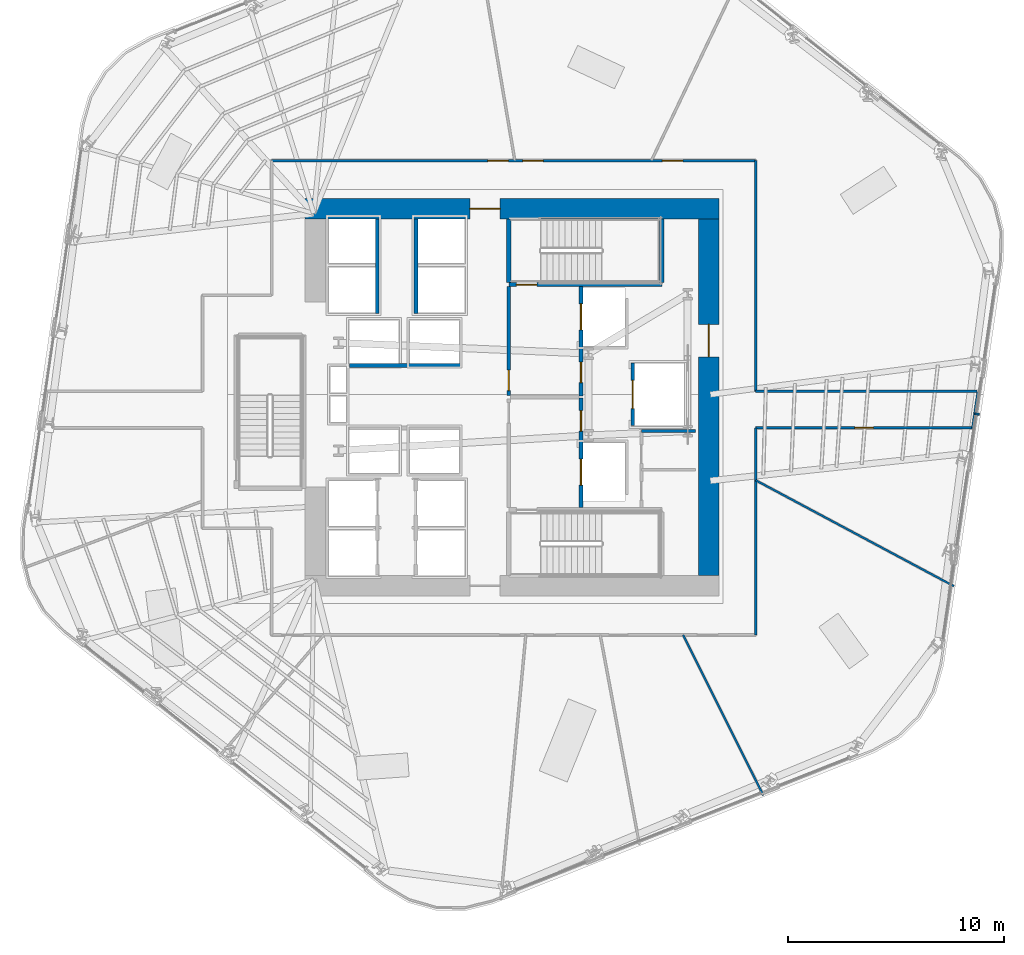
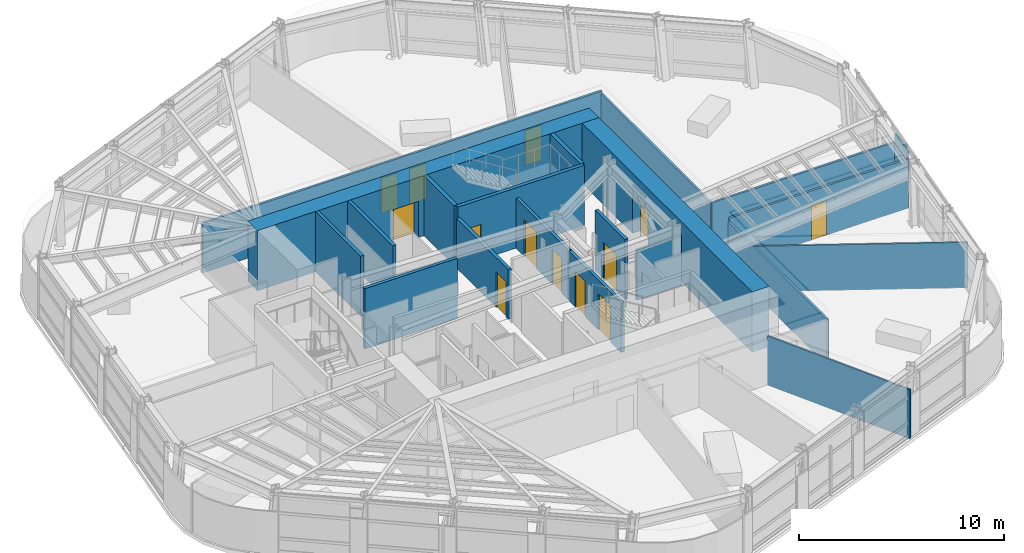
# One storey, part 9 of 17: 22 walls, 13 doors, 13 openings.
"""IFC4 building model written with IfcOpenShell, lengths in metres."""

from ifc_helpers import new_model, si_unit, direction, frame, frame_2d, origin, place, context, subcontext, project, spatial, rectangle, extrude, material, layer, layer_set, type_object, element, fill, save


model = new_model("IFC4")

# Units and contexts
model_context = context("Model", 3, precision=1e-05, world=origin(), true_north=direction((0.0, 1.0)))
body_context = subcontext(model_context, "Body", "Model", "MODEL_VIEW")
ifc_project = project(units=[si_unit("LENGTHUNIT", "METRE"), si_unit("AREAUNIT", "SQUARE_METRE"), si_unit("VOLUMEUNIT", "CUBIC_METRE"), si_unit("PLANEANGLEUNIT", "RADIAN"), si_unit("MASSUNIT", "GRAM", prefix="KILO")], contexts=[model_context])

# Site, building, storey
site_placement = place(None, origin())
site = spatial("IfcSite", under=ifc_project, at=site_placement, CompositionType="ELEMENT")
building_placement = place(site_placement, origin())
building = spatial("IfcBuilding", under=site, at=building_placement, Name="Valkerne Bourse Tower", CompositionType="ELEMENT")
storey_placement = place(building_placement, frame((0.0, 0.0, 116.199951171875)))
storey = spatial("IfcBuildingStorey", under=building, at=storey_placement, Name="L29", CompositionType="ELEMENT", Elevation=116.199951171875)

# Wall, opening, door
ifc_material_1 = material(Name="Concrete C70/85", Category="concrete")
ifc_layer_1 = layer(ifc_material_1, 0.949951171875)
ifc_layer_set_1 = layer_set([ifc_layer_1], Name="Concrete C70/85")
wall_type_1 = type_object("IfcWallType", Name="W-CORE-950", PredefinedType="SHEAR", material=ifc_layer_set_1)
wall_1_placement = place(storey_placement, frame((37.199951171875, 35.625, 0.0), z_axis=(0.0, 0.0, 1.0), x_axis=(1.0, 0.0, 0.0)))
wall_1 = element("IfcWall", 1, at=wall_1_placement, inside=storey, type_object=wall_type_1, Name="L29 Core Shear Wall NORTH", PredefinedType="SHEAR", context=body_context, shape_type="SweptSolid", body=[
    extrude(rectangle(XDim=19.199951171875, YDim=0.949951171875, at=frame_2d((9.60009765625, 0.0))), origin(), (0.0, 0.0, 1.0), 3.580078125),
])
opening_1_placement = place(wall_1_placement, frame((7.64990234375, 0.0, 0.0)))
opening_1 = element("IfcOpeningElement", 2, at=opening_1_placement, cuts=wall_1, Name="Opening D-PL-1400", PredefinedType="OPENING", context=body_context, shape_type="SweptSolid", body=[
    extrude(rectangle(XDim=1.39990234375, YDim=2.14990234375, at=frame_2d((0.699951171875, 1.074951171875))), frame((0.0, 0.48486328125, 0.0), z_axis=(0.0, -1.0, 0.0), x_axis=(1.0, 0.0, 0.0)), (0.0, 0.0, 1.0), 0.969970703125),
])
ifc_material_2 = material(Name="Galvanised Painted Steel", Category="steel")
door_type_1 = type_object("IfcDoorType", Name="DR-PLT-1400", OperationType="DOUBLE_DOOR_SINGLE_SWING", PredefinedType="DOOR", material=ifc_material_2)
door_1_placement = place(opening_1_placement, origin())
door_1 = element("IfcDoor", 3, at=door_1_placement, inside=storey, type_object=door_type_1, Name="L29 North Passenger Lift Hall Fire Door", OperationType="DOUBLE_DOOR_SINGLE_SWING", OverallHeight=2.14990234375, OverallWidth=1.39990234375, PredefinedType="DOOR", context=body_context, shape_type="SweptSolid", body=[
    extrude(rectangle(XDim=1.39990234375, YDim=2.14990234375, at=frame_2d((0.699951171875, 1.074951171875))), frame((0.0, 0.02490234375, 0.0), z_axis=(0.0, -1.0, 0.0), x_axis=(1.0, 0.0, 0.0)), (0.0, 0.0, 1.0), 0.050048828125),
])
fill(opening_1, door_1)

wall_2_placement = place(storey_placement, frame((55.925048828125, 18.60009765625, 0.0), z_axis=(0.0, 0.0, 1.0), x_axis=(0.0, 1.0, 0.0)))
wall_2 = element("IfcWall", 4, at=wall_2_placement, inside=storey, type_object=wall_type_1, Name="L29 Core Shear Wall EAST", PredefinedType="SHEAR", context=body_context, shape_type="SweptSolid", body=[
    extrude(rectangle(XDim=16.5498046875, YDim=0.949951171875, at=frame_2d((8.27490234375, 0.0))), origin(), (0.0, 0.0, 1.0), 3.580078125),
])
opening_2_placement = place(wall_2_placement, frame((10.14990234375, 0.0, 0.0)))
opening_2 = element("IfcOpeningElement", 5, at=opening_2_placement, cuts=wall_2, Name="Opening D-CR-1500", PredefinedType="OPENING", context=body_context, shape_type="SweptSolid", body=[
    extrude(rectangle(XDim=1.5, YDim=2.14990234375, at=frame_2d((0.75, 1.074951171875))), frame((0.0, 0.48486328125, 0.0), z_axis=(0.0, -1.0, 0.0), x_axis=(1.0, 0.0, 0.0)), (0.0, 0.0, 1.0), 0.969970703125),
])
door_type_2 = type_object("IfcDoorType", Name="DR-CORR-1500", OperationType="DOUBLE_DOOR_SINGLE_SWING", PredefinedType="DOOR", material=ifc_material_2)
door_2_placement = place(opening_2_placement, origin())
door_2 = element("IfcDoor", 6, at=door_2_placement, inside=storey, type_object=door_type_2, Name="L29 East Core Service Lobby Fire Door", OperationType="DOUBLE_DOOR_SINGLE_SWING", OverallHeight=2.14990234375, OverallWidth=1.5, PredefinedType="DOOR", context=body_context, shape_type="SweptSolid", body=[
    extrude(rectangle(XDim=1.5, YDim=2.14990234375, at=frame_2d((0.75, 1.074951171875))), frame((0.0, 0.02490234375, 0.0), z_axis=(0.0, -1.0, 0.0), x_axis=(1.0, 0.0, 0.0)), (0.0, 0.0, 1.0), 0.050048828125),
])
fill(opening_2, door_2)

# Walls
ifc_material_3 = material(Name="Gypsum Board Steel-Stud Partition", Category="steel")
ifc_layer_2 = layer(ifc_material_3, 0.117919921875)
ifc_layer_set_2 = layer_set([ifc_layer_2], Name="Gypsum Board Steel-Stud Partition")
wall_type_2 = type_object("IfcWallType", Name="W-CORR-140", PredefinedType="PARTITIONING", material=ifc_layer_set_2)
wall_3_placement = place(storey_placement, frame((58.10009765625, 27.14990234375, 0.0), z_axis=(0.0, 0.0, 1.0), x_axis=(1.0, 0.0, 0.0)))
element("IfcWall", 7, at=wall_3_placement, inside=storey, type_object=wall_type_2, Name="L29 Corridor Enclosure Wall", PredefinedType="PARTITIONING", context=body_context, shape_type="SweptSolid", body=[
    extrude(rectangle(XDim=10.279296875, YDim=0.117919921875, at=frame_2d((5.1396484375, 0.0))), origin(), (0.0, 0.0, 1.0), 2.800537109375),
])
wall_4_placement = place(storey_placement, frame((68.41796875, 27.10546875, 0.0), z_axis=(0.0, 0.0, 1.0), x_axis=(-0.146035774804, -0.989279309638, 0.0)))
element("IfcWall", 8, at=wall_4_placement, inside=storey, type_object=wall_type_2, Name="L29 Corridor Enclosure Wall", PredefinedType="PARTITIONING", context=body_context, shape_type="SweptSolid", body=[
    extrude(rectangle(XDim=1.67333984375, YDim=0.117919921875, at=frame_2d((0.836669921875, 0.0))), origin(), (0.0, 0.0, 1.0), 3.280029296875),
])

# Wall, opening, door
wall_5_placement = place(storey_placement, frame((68.173583984375, 25.449951171875, 0.0), z_axis=(0.0, 0.0, 1.0), x_axis=(-1.0, 0.0, 0.0)))
wall_5 = element("IfcWall", 9, at=wall_5_placement, inside=storey, type_object=wall_type_2, Name="L29 Corridor Enclosure Wall", PredefinedType="PARTITIONING", context=body_context, shape_type="SweptSolid", body=[
    extrude(rectangle(XDim=10.073486328125, YDim=0.117919921875, at=frame_2d((5.03662109375, 0.0))), origin(), (0.0, 0.0, 1.0), 2.92236328125),
])
opening_3_placement = place(wall_5_placement, frame((4.606689453125, 0.0, 0.0)))
opening_3 = element("IfcOpeningElement", 10, at=opening_3_placement, cuts=wall_5, Name="Opening D-WC-900", PredefinedType="OPENING", context=body_context, shape_type="SweptSolid", body=[
    extrude(rectangle(XDim=0.860107421875, YDim=2.050048828125, at=frame_2d((0.43017578125, 1.02490234375))), frame((0.0, 0.06884765625, 0.0), z_axis=(0.0, -1.0, 0.0), x_axis=(1.0, 0.0, 0.0)), (0.0, 0.0, 1.0), 0.137939453125),
])
ifc_material_4 = material(Name="Architectural White Oak Timber", Category="wood")
door_type_3 = type_object("IfcDoorType", Name="DR-WC-900", OperationType="NOTDEFINED", PredefinedType="DOOR", material=ifc_material_4)
door_3_placement = place(opening_3_placement, origin())
door_3 = element("IfcDoor", 11, at=door_3_placement, inside=storey, type_object=door_type_3, Name="L29 L29 Women Restroom & Shower WC 2 Door", OperationType="SINGLE_SWING_LEFT", OverallHeight=2.050048828125, OverallWidth=0.860107421875, PredefinedType="DOOR", context=body_context, shape_type="SweptSolid", body=[
    extrude(rectangle(XDim=0.860107421875, YDim=2.050048828125, at=frame_2d((0.43017578125, 1.02490234375))), frame((0.0, 0.02490234375, 0.0), z_axis=(0.0, -1.0, 0.0), x_axis=(1.0, 0.0, 0.0)), (0.0, 0.0, 1.0), 0.050048828125),
])
fill(opening_3, door_3)

# Wall
wall_6_placement = place(storey_placement, frame((58.10009765625, 25.449951171875, 0.0), z_axis=(0.0, 0.0, 1.0), x_axis=(0.0, -1.0, 0.0)))
element("IfcWall", 12, at=wall_6_placement, inside=storey, type_object=wall_type_2, Name="L29 Corridor Enclosure Wall", PredefinedType="PARTITIONING", context=body_context, shape_type="SweptSolid", body=[
    extrude(rectangle(XDim=9.599853515625, YDim=0.117919921875, at=frame_2d((4.7998046875, 0.0))), origin(), (0.0, 0.0, 1.0), 2.711669921875),
])

# Wall, openings, doors
wall_7_placement = place(storey_placement, frame((35.64990234375, 37.85009765625, 0.0), z_axis=(0.0, 0.0, 1.0), x_axis=(1.0, 0.0, 0.0)))
wall_7 = element("IfcWall", 13, at=wall_7_placement, inside=storey, type_object=wall_type_2, Name="L29 Corridor Enclosure Wall", PredefinedType="PARTITIONING", context=body_context, shape_type="SweptSolid", body=[
    extrude(rectangle(XDim=22.4501953125, YDim=0.117919921875, at=frame_2d((11.22509765625, 0.0))), origin(), (0.0, 0.0, 1.0), 2.962890625),
])
opening_4_placement = place(wall_7_placement, frame((11.64990234375, 0.0, 0.0)))
opening_4 = element("IfcOpeningElement", 14, at=opening_4_placement, cuts=wall_7, Name="Opening D-OF-950", PredefinedType="OPENING", context=body_context, shape_type="SweptSolid", body=[
    extrude(rectangle(XDim=0.949951171875, YDim=2.10009765625, at=frame_2d((0.47509765625, 1.050048828125))), frame((0.0, 0.06884765625, 0.0), z_axis=(0.0, -1.0, 0.0), x_axis=(1.0, 0.0, 0.0)), (0.0, 0.0, 1.0), 0.137939453125),
])
opening_5_placement = place(wall_7_placement, frame((18.1298828125, 0.0, 0.0)))
opening_5 = element("IfcOpeningElement", 15, at=opening_5_placement, cuts=wall_7, Name="Opening D-OF-950", PredefinedType="OPENING", context=body_context, shape_type="SweptSolid", body=[
    extrude(rectangle(XDim=0.949951171875, YDim=2.10009765625, at=frame_2d((0.47509765625, 1.050048828125))), frame((0.0, 0.06884765625, 0.0), z_axis=(0.0, -1.0, 0.0), x_axis=(1.0, 0.0, 0.0)), (0.0, 0.0, 1.0), 0.137939453125),
])
opening_6_placement = place(wall_7_placement, frame((10.030029296875, 0.0, 0.0)))
opening_6 = element("IfcOpeningElement", 16, at=opening_6_placement, cuts=wall_7, Name="Opening D-OF-950", PredefinedType="OPENING", context=body_context, shape_type="SweptSolid", body=[
    extrude(rectangle(XDim=0.949951171875, YDim=2.10009765625, at=frame_2d((0.47509765625, 1.050048828125))), frame((0.0, 0.06884765625, 0.0), z_axis=(0.0, -1.0, 0.0), x_axis=(1.0, 0.0, 0.0)), (0.0, 0.0, 1.0), 0.137939453125),
])
door_type_4 = type_object("IfcDoorType", Name="DR-OFF-950", OperationType="NOTDEFINED", PredefinedType="DOOR", material=ifc_material_4)
door_4_placement = place(opening_4_placement, origin())
door_4 = element("IfcDoor", 17, at=door_4_placement, inside=storey, type_object=door_type_4, Name="L29 L29 Executive Economics Study Room 6 Door", OperationType="SINGLE_SWING_RIGHT", OverallHeight=2.10009765625, OverallWidth=0.949951171875, PredefinedType="DOOR", context=body_context, shape_type="SweptSolid", body=[
    extrude(rectangle(XDim=0.949951171875, YDim=2.10009765625, at=frame_2d((0.47509765625, 1.050048828125))), frame((0.0, 0.02490234375, 0.0), z_axis=(0.0, -1.0, 0.0), x_axis=(1.0, 0.0, 0.0)), (0.0, 0.0, 1.0), 0.050048828125),
])
fill(opening_4, door_4)
door_5_placement = place(opening_5_placement, origin())
door_5 = element("IfcDoor", 18, at=door_5_placement, inside=storey, type_object=door_type_4, Name="L29 L29 Exchange Security Control Room 8 Door", OperationType="SINGLE_SWING_RIGHT", OverallHeight=2.10009765625, OverallWidth=0.949951171875, PredefinedType="DOOR", context=body_context, shape_type="SweptSolid", body=[
    extrude(rectangle(XDim=0.949951171875, YDim=2.10009765625, at=frame_2d((0.47509765625, 1.050048828125))), frame((0.0, 0.02490234375, 0.0), z_axis=(0.0, -1.0, 0.0), x_axis=(1.0, 0.0, 0.0)), (0.0, 0.0, 1.0), 0.050048828125),
])
fill(opening_5, door_5)
door_6_placement = place(opening_6_placement, origin())
door_6 = element("IfcDoor", 19, at=door_6_placement, inside=storey, type_object=door_type_4, Name="L29 L29 Exchange Security Control Room 9 Door", OperationType="SINGLE_SWING_RIGHT", OverallHeight=2.10009765625, OverallWidth=0.949951171875, PredefinedType="DOOR", context=body_context, shape_type="SweptSolid", body=[
    extrude(rectangle(XDim=0.949951171875, YDim=2.10009765625, at=frame_2d((0.47509765625, 1.050048828125))), frame((0.0, 0.02490234375, 0.0), z_axis=(0.0, -1.0, 0.0), x_axis=(1.0, 0.0, 0.0)), (0.0, 0.0, 1.0), 0.050048828125),
])
fill(opening_6, door_6)

# Wall
wall_8_placement = place(storey_placement, frame((58.10009765625, 37.85009765625, 0.0), z_axis=(0.0, 0.0, 1.0), x_axis=(0.0, -1.0, 0.0)))
element("IfcWall", 20, at=wall_8_placement, inside=storey, type_object=wall_type_2, Name="L29 Corridor Enclosure Wall", PredefinedType="PARTITIONING", context=body_context, shape_type="SweptSolid", body=[
    extrude(rectangle(XDim=10.7001953125, YDim=0.117919921875, at=frame_2d((5.35009765625, 0.0))), origin(), (0.0, 0.0, 1.0), 2.800537109375),
])

# Wall, opening, door
ifc_material_5 = material(Name="Gypsum Fire-Rated Shaftwall", Category="gypsum")
ifc_layer_3 = layer(ifc_material_5, 0.179931640625)
ifc_layer_set_3 = layer_set([ifc_layer_3], Name="Gypsum Fire-Rated Shaftwall")
wall_type_3 = type_object("IfcWallType", Name="W-FSAE-180", PredefinedType="PARTITIONING", material=ifc_layer_set_3)
wall_9_placement = place(storey_placement, frame((46.64990234375, 26.9599609375, 0.0), z_axis=(0.0, 0.0, 1.0), x_axis=(0.0, 1.0, 0.0)))
wall_9 = element("IfcWall", 21, at=wall_9_placement, inside=storey, type_object=wall_type_3, Name="L29 FSAE-2 Lobby West Fire Wall", PredefinedType="PARTITIONING", context=body_context, shape_type="SweptSolid", body=[
    extrude(rectangle(XDim=5.0400390625, YDim=0.179931640625, at=frame_2d((2.52001953125, 0.0))), origin(), (0.0, 0.0, 1.0), 2.9580078125),
])
opening_7_placement = place(wall_9_placement, frame((0.219970703125, 0.0, 0.0)))
opening_7 = element("IfcOpeningElement", 22, at=opening_7_placement, cuts=wall_9, Name="Opening D-FS-950", PredefinedType="OPENING", context=body_context, shape_type="SweptSolid", body=[
    extrude(rectangle(XDim=0.949951171875, YDim=2.10009765625, at=frame_2d((0.47509765625, 1.050048828125))), frame((0.0, 0.099853515625, 0.0), z_axis=(0.0, -1.0, 0.0), x_axis=(1.0, 0.0, 0.0)), (0.0, 0.0, 1.0), 0.199951171875),
])
door_type_5 = type_object("IfcDoorType", Name="DR-FSAE-950", OperationType="NOTDEFINED", PredefinedType="DOOR", material=ifc_material_2)
door_7_placement = place(opening_7_placement, origin())
door_7 = element("IfcDoor", 23, at=door_7_placement, inside=storey, type_object=door_type_5, Name="L29 FSAE-2 Hall Link Fire Door", OperationType="SINGLE_SWING_LEFT", OverallHeight=2.10009765625, OverallWidth=0.949951171875, PredefinedType="DOOR", context=body_context, shape_type="SweptSolid", body=[
    extrude(rectangle(XDim=0.949951171875, YDim=2.10009765625, at=frame_2d((0.47509765625, 1.050048828125))), frame((0.0, 0.02490234375, 0.0), z_axis=(0.0, -1.0, 0.0), x_axis=(1.0, 0.0, 0.0)), (0.0, 0.0, 1.0), 0.050048828125),
])
fill(opening_7, door_7)

# Wall, openings, doors
wall_10_placement = place(storey_placement, frame((50.0, 21.75, 0.0), z_axis=(0.0, 0.0, 1.0), x_axis=(0.0, 1.0, 0.0)))
wall_10 = element("IfcWall", 24, at=wall_10_placement, inside=storey, type_object=wall_type_3, Name="L29 FSAE-1 Lobby & Shaft Front Wall", PredefinedType="PARTITIONING", context=body_context, shape_type="SweptSolid", body=[
    extrude(rectangle(XDim=5.090087890625, YDim=0.179931640625, at=frame_2d((2.544921875, 0.0))), origin(), (0.0, 0.0, 1.0), 2.9580078125),
])
opening_8_placement = place(wall_10_placement, frame((1.050048828125, 0.0, 0.0)))
opening_8 = element("IfcOpeningElement", 25, at=opening_8_placement, cuts=wall_10, Name="Opening LD-1200", PredefinedType="OPENING", context=body_context, shape_type="SweptSolid", body=[
    extrude(rectangle(XDim=1.199951171875, YDim=2.14990234375, at=frame_2d((0.60009765625, 1.074951171875))), frame((0.0, 0.099853515625, 0.0), z_axis=(0.0, -1.0, 0.0), x_axis=(1.0, 0.0, 0.0)), (0.0, 0.0, 1.0), 0.199951171875),
])
opening_9_placement = place(wall_10_placement, frame((3.550048828125, 0.0, 0.0)))
opening_9 = element("IfcOpeningElement", 26, at=opening_9_placement, cuts=wall_10, Name="Opening D-FS-950", PredefinedType="OPENING", context=body_context, shape_type="SweptSolid", body=[
    extrude(rectangle(XDim=0.949951171875, YDim=2.10009765625, at=frame_2d((0.47509765625, 1.050048828125))), frame((0.0, 0.099853515625, 0.0), z_axis=(0.0, -1.0, 0.0), x_axis=(1.0, 0.0, 0.0)), (0.0, 0.0, 1.0), 0.199951171875),
])
door_8_placement = place(opening_9_placement, origin())
door_8 = element("IfcDoor", 27, at=door_8_placement, inside=storey, type_object=door_type_5, Name="L29 FSAE-1 Lobby Corridor Fire Door", OperationType="SINGLE_SWING_LEFT", OverallHeight=2.10009765625, OverallWidth=0.949951171875, PredefinedType="DOOR", context=body_context, shape_type="SweptSolid", body=[
    extrude(rectangle(XDim=0.949951171875, YDim=2.10009765625, at=frame_2d((0.47509765625, 1.050048828125))), frame((0.0, 0.02490234375, 0.0), z_axis=(0.0, -1.0, 0.0), x_axis=(1.0, 0.0, 0.0)), (0.0, 0.0, 1.0), 0.050048828125),
])
fill(opening_9, door_8)
ifc_material_6 = material(Name="Stainless Steel AISI 316", Category="steel")
door_type_6 = type_object("IfcDoorType", Name="DR-LIFT-1200", OperationType="DOUBLE_DOOR_SLIDING", PredefinedType="DOOR", material=ifc_material_6)
door_9_placement = place(opening_8_placement, origin())
door_9 = element("IfcDoor", 28, at=door_9_placement, inside=storey, type_object=door_type_6, Name="L29 FSAE-1 Firefighting Lift Landing Door", OperationType="DOUBLE_DOOR_SLIDING", OverallHeight=2.14990234375, OverallWidth=1.199951171875, PredefinedType="DOOR", context=body_context, shape_type="SweptSolid", body=[
    extrude(rectangle(XDim=1.199951171875, YDim=2.14990234375, at=frame_2d((0.60009765625, 1.074951171875))), frame((0.0, 0.02490234375, 0.0), z_axis=(0.0, -1.0, 0.0), x_axis=(1.0, 0.0, 0.0)), (0.0, 0.0, 1.0), 0.050048828125),
])
fill(opening_8, door_9)

wall_11_placement = place(storey_placement, frame((50.0, 26.919921875, 0.0), z_axis=(0.0, 0.0, 1.0), x_axis=(0.0, 1.0, 0.0)))
wall_11 = element("IfcWall", 29, at=wall_11_placement, inside=storey, type_object=wall_type_3, Name="L29 FSAE-2 Lobby & Shaft Front Wall", PredefinedType="PARTITIONING", context=body_context, shape_type="SweptSolid", body=[
    extrude(rectangle(XDim=5.080078125, YDim=0.179931640625, at=frame_2d((2.5400390625, 0.0))), origin(), (0.0, 0.0, 1.0), 2.9580078125),
])
opening_10_placement = place(wall_11_placement, frame((3.080078125, 0.0, 0.0)))
opening_10 = element("IfcOpeningElement", 30, at=opening_10_placement, cuts=wall_11, Name="Opening LD-1200", PredefinedType="OPENING", context=body_context, shape_type="SweptSolid", body=[
    extrude(rectangle(XDim=1.199951171875, YDim=2.14990234375, at=frame_2d((0.60009765625, 1.074951171875))), frame((0.0, 0.099853515625, 0.0), z_axis=(0.0, -1.0, 0.0), x_axis=(1.0, 0.0, 0.0)), (0.0, 0.0, 1.0), 0.199951171875),
])
opening_11_placement = place(wall_11_placement, frame((0.6298828125, 0.0, 0.0)))
opening_11 = element("IfcOpeningElement", 31, at=opening_11_placement, cuts=wall_11, Name="Opening D-FS-950", PredefinedType="OPENING", context=body_context, shape_type="SweptSolid", body=[
    extrude(rectangle(XDim=0.949951171875, YDim=2.10009765625, at=frame_2d((0.47509765625, 1.050048828125))), frame((0.0, 0.099853515625, 0.0), z_axis=(0.0, -1.0, 0.0), x_axis=(1.0, 0.0, 0.0)), (0.0, 0.0, 1.0), 0.199951171875),
])
door_10_placement = place(opening_11_placement, origin())
door_10 = element("IfcDoor", 32, at=door_10_placement, inside=storey, type_object=door_type_5, Name="L29 FSAE-2 Lobby Corridor Fire Door", OperationType="SINGLE_SWING_LEFT", OverallHeight=2.10009765625, OverallWidth=0.949951171875, PredefinedType="DOOR", context=body_context, shape_type="SweptSolid", body=[
    extrude(rectangle(XDim=0.949951171875, YDim=2.10009765625, at=frame_2d((0.47509765625, 1.050048828125))), frame((0.0, 0.02490234375, 0.0), z_axis=(0.0, -1.0, 0.0), x_axis=(1.0, 0.0, 0.0)), (0.0, 0.0, 1.0), 0.050048828125),
])
fill(opening_11, door_10)
door_11_placement = place(opening_10_placement, origin())
door_11 = element("IfcDoor", 33, at=door_11_placement, inside=storey, type_object=door_type_6, Name="L29 FSAE-2 Firefighting Lift Landing Door", OperationType="DOUBLE_DOOR_SLIDING", OverallHeight=2.14990234375, OverallWidth=1.199951171875, PredefinedType="DOOR", context=body_context, shape_type="SweptSolid", body=[
    extrude(rectangle(XDim=1.199951171875, YDim=2.14990234375, at=frame_2d((0.60009765625, 1.074951171875))), frame((0.0, 0.02490234375, 0.0), z_axis=(0.0, -1.0, 0.0), x_axis=(1.0, 0.0, 0.0)), (0.0, 0.0, 1.0), 0.050048828125),
])
fill(opening_10, door_11)

# Wall, opening, door
ifc_material_7 = material(Name="CMU Blockwork Masonry 200mm", Category="masonry")
ifc_layer_4 = layer(ifc_material_7, 0.179931640625)
ifc_layer_set_4 = layer_set([ifc_layer_4], Name="CMU Blockwork Masonry 200mm")
wall_type_4 = type_object("IfcWallType", Name="W-LFT-180", PredefinedType="SOLIDWALL", material=ifc_layer_set_4)
wall_12_placement = place(storey_placement, frame((52.39990234375, 25.550048828125, 0.0), z_axis=(0.0, 0.0, 1.0), x_axis=(0.0, 1.0, 0.0)))
wall_12 = element("IfcWall", 34, at=wall_12_placement, inside=storey, type_object=wall_type_4, Name="L29 Service Lift SV-1 Front Wall", PredefinedType="SOLIDWALL", context=body_context, shape_type="SweptSolid", body=[
    extrude(rectangle(XDim=2.89990234375, YDim=0.179931640625, at=frame_2d((1.449951171875, 0.0))), origin(), (0.0, 0.0, 1.0), 3.580078125),
])
opening_12_placement = place(wall_12_placement, frame((0.800048828125, 0.0, 0.0)))
opening_12 = element("IfcOpeningElement", 35, at=opening_12_placement, cuts=wall_12, Name="Opening LD-1300", PredefinedType="OPENING", context=body_context, shape_type="SweptSolid", body=[
    extrude(rectangle(XDim=1.300048828125, YDim=2.14990234375, at=frame_2d((0.64990234375, 1.074951171875))), frame((0.0, 0.099853515625, 0.0), z_axis=(0.0, -1.0, 0.0), x_axis=(1.0, 0.0, 0.0)), (0.0, 0.0, 1.0), 0.199951171875),
])
door_type_7 = type_object("IfcDoorType", Name="DR-LIFT-1300", OperationType="DOUBLE_DOOR_SLIDING", PredefinedType="DOOR", material=ifc_material_6)
door_12_placement = place(opening_12_placement, origin())
door_12 = element("IfcDoor", 36, at=door_12_placement, inside=storey, type_object=door_type_7, Name="L29 Service Lift SV-1 Landing Door", OperationType="DOUBLE_DOOR_SLIDING", OverallHeight=2.14990234375, OverallWidth=1.300048828125, PredefinedType="DOOR", context=body_context, shape_type="SweptSolid", body=[
    extrude(rectangle(XDim=1.300048828125, YDim=2.14990234375, at=frame_2d((0.64990234375, 1.074951171875))), frame((0.0, 0.02490234375, 0.0), z_axis=(0.0, -1.0, 0.0), x_axis=(1.0, 0.0, 0.0)), (0.0, 0.0, 1.0), 0.050048828125),
])
fill(opening_12, door_12)

# Walls
for number, where, z_axis, x_axis, name in (
    (37, (40.550048828125, 30.75, 0.0), (0.0, 0.0, 1.0), (0.0, 1.0, 0.0), "L29 Mid-Zone West Cars Front Wall"),
    (38, (42.35009765625, 30.75, 0.0), (0.0, 0.0, 1.0), (0.0, 1.0, 0.0), "L29 Mid-Zone East Cars Front Wall"),
):
    element("IfcWall", number, at=place(storey_placement, frame(where, z_axis=z_axis, x_axis=x_axis)), inside=storey, type_object=wall_type_4, Name=name, PredefinedType="SOLIDWALL", context=body_context, shape_type="SweptSolid", body=[
        extrude(rectangle(XDim=4.39990234375, YDim=0.179931640625, at=frame_2d((2.199951171875, 0.0))), origin(), (0.0, 0.0, 1.0), 3.580078125),
    ])
wall_13_placement = place(storey_placement, frame((39.25, 28.35009765625, 0.0), z_axis=(0.0, 0.0, 1.0), x_axis=(1.0, 0.0, 0.0)))
element("IfcWall", 39, at=wall_13_placement, inside=storey, type_object=wall_type_4, Name="L29 High-Zone North Cars Front Wall", PredefinedType="SOLIDWALL", context=body_context, shape_type="SweptSolid", body=[
    extrude(rectangle(XDim=5.199951171875, YDim=0.179931640625, at=frame_2d((2.60009765625, 0.0))), origin(), (0.0, 0.0, 1.0), 3.580078125),
])
ifc_layer_5 = layer(ifc_material_3, 0.092041015625)
ifc_layer_set_5 = layer_set([ifc_layer_5], Name="Gypsum Board Steel-Stud Partition")
wall_type_5 = type_object("IfcWallType", Name="W-PART-115", PredefinedType="PARTITIONING", material=ifc_layer_set_5)
wall_14_placement = place(storey_placement, frame((54.73681640625, 15.844970703125, 0.0), z_axis=(0.0, 0.0, 1.0), x_axis=(0.447753506428, -0.89415703178, 0.0)))
element("IfcWall", 40, at=wall_14_placement, inside=storey, type_object=wall_type_5, Name="L29 Suite Partition P03", PredefinedType="PARTITIONING", context=body_context, shape_type="SweptSolid", body=[
    extrude(rectangle(XDim=8.319091796875, YDim=0.092041015625, at=frame_2d((4.15966796875, 0.0))), origin(), (0.0, 0.0, 1.0), 2.92236328125),
])
wall_15_placement = place(storey_placement, frame((58.10498046875, 23.021484375, 0.0), z_axis=(0.0, 0.0, 1.0), x_axis=(0.881994259707, -0.471260146675, 0.0)))
element("IfcWall", 41, at=wall_15_placement, inside=storey, type_object=wall_type_5, Name="L29 Suite Partition P04", PredefinedType="PARTITIONING", context=body_context, shape_type="SweptSolid", body=[
    extrude(rectangle(XDim=10.427001953125, YDim=0.092041015625, at=frame_2d((5.21337890625, 0.0))), origin(), (0.0, 0.0, 1.0), 2.711669921875),
])
wall_16_placement = place(storey_placement, frame((68.275146484375, 26.10400390625, 0.0), z_axis=(0.0, 0.0, 1.0), x_axis=(0.994870867293, -0.101153138421, 0.0)))
element("IfcWall", 42, at=wall_16_placement, inside=storey, type_object=wall_type_5, Name="L29 Suite Partition P05", PredefinedType="PARTITIONING", context=body_context, shape_type="SweptSolid", body=[
    extrude(rectangle(XDim=0.205078125, YDim=0.092041015625, at=frame_2d((0.1025390625, 0.0))), origin(), (0.0, 0.0, 1.0), 3.280029296875),
])

# Wall, opening, door
ifc_material_8 = material(Name="Concrete C40/50", Category="concrete")
ifc_layer_6 = layer(ifc_material_8, 0.199951171875)
ifc_layer_set_6 = layer_set([ifc_layer_6], Name="Concrete C40/50")
wall_type_6 = type_object("IfcWallType", Name="W-SHF-200", PredefinedType="SHEAR", material=ifc_layer_set_6)
wall_17_placement = place(storey_placement, frame((46.64990234375, 32.10009765625, 0.0), z_axis=(0.0, 0.0, 1.0), x_axis=(1.0, 0.0, 0.0)))
wall_17 = element("IfcWall", 43, at=wall_17_placement, inside=storey, type_object=wall_type_6, Name="L29 Exit Stair ST-2 Structural Shaft Wall South", PredefinedType="SHEAR", context=body_context, shape_type="SweptSolid", body=[
    extrude(rectangle(XDim=7.10009765625, YDim=0.199951171875, at=frame_2d((3.550048828125, 0.0))), origin(), (0.0, 0.0, 1.0), 3.580078125),
])
opening_13_placement = place(wall_17_placement, frame((0.35009765625, 0.0, 0.0)))
opening_13 = element("IfcOpeningElement", 44, at=opening_13_placement, cuts=wall_17, Name="Opening D-ST-950", PredefinedType="OPENING", context=body_context, shape_type="SweptSolid", body=[
    extrude(rectangle(XDim=0.949951171875, YDim=2.10009765625, at=frame_2d((0.47509765625, 1.050048828125))), frame((0.0, 0.10986328125, 0.0), z_axis=(0.0, -1.0, 0.0), x_axis=(1.0, 0.0, 0.0)), (0.0, 0.0, 1.0), 0.219970703125),
])
door_type_8 = type_object("IfcDoorType", Name="DR-STAIR-950", OperationType="NOTDEFINED", PredefinedType="DOOR", material=ifc_material_2)
door_13_placement = place(opening_13_placement, origin())
door_13 = element("IfcDoor", 45, at=door_13_placement, inside=storey, type_object=door_type_8, Name="L29 Exit Stair ST-2 Door", OperationType="SINGLE_SWING_RIGHT", OverallHeight=2.10009765625, OverallWidth=0.949951171875, PredefinedType="DOOR", context=body_context, shape_type="SweptSolid", body=[
    extrude(rectangle(XDim=0.949951171875, YDim=2.10009765625, at=frame_2d((0.47509765625, 1.050048828125))), frame((0.0, 0.02490234375, 0.0), z_axis=(0.0, -1.0, 0.0), x_axis=(1.0, 0.0, 0.0)), (0.0, 0.0, 1.0), 0.050048828125),
])
fill(opening_13, door_13)

# Walls
for number, where, z_axis, x_axis, name in (
    (46, (46.64990234375, 32.199951171875, 0.0), (0.0, 0.0, 1.0), (0.0, 1.0, 0.0), "L29 Exit Stair ST-2 Structural Shaft Wall West"),
    (47, (53.75, 32.199951171875, 0.0), (0.0, 0.0, 1.0), (0.0, 1.0, 0.0), "L29 Exit Stair ST-2 Structural Shaft Wall East"),
):
    element("IfcWall", number, at=place(storey_placement, frame(where, z_axis=z_axis, x_axis=x_axis)), inside=storey, type_object=wall_type_6, Name=name, PredefinedType="SHEAR", context=body_context, shape_type="SweptSolid", body=[
        extrude(rectangle(XDim=2.949951171875, YDim=0.199951171875, at=frame_2d((1.47509765625, 0.0))), origin(), (0.0, 0.0, 1.0), 3.580078125),
    ])
ifc_material_9 = material(Name="Moisture-Resistant Gypsum Partition", Category="gypsum")
ifc_layer_7 = layer(ifc_material_9, 0.139892578125)
ifc_layer_set_7 = layer_set([ifc_layer_7], Name="Moisture-Resistant Gypsum Partition")
wall_type_7 = type_object("IfcWallType", Name="W-WET-140", PredefinedType="PARTITIONING", material=ifc_layer_set_7)
wall_18_placement = place(storey_placement, frame((52.800048828125, 25.300048828125, 0.0), z_axis=(0.0, 0.0, 1.0), x_axis=(1.0, 0.0, 0.0)))
element("IfcWall", 48, at=wall_18_placement, inside=storey, type_object=wall_type_7, Name="L29 Core SE Dual North Wall", PredefinedType="PARTITIONING", context=body_context, shape_type="SweptSolid", body=[
    extrude(rectangle(XDim=2.52001953125, YDim=0.139892578125, at=frame_2d((1.260009765625, 0.0))), origin(), (0.0, 0.0, 1.0), 2.9580078125),
])

save(model, "model.ifc")
